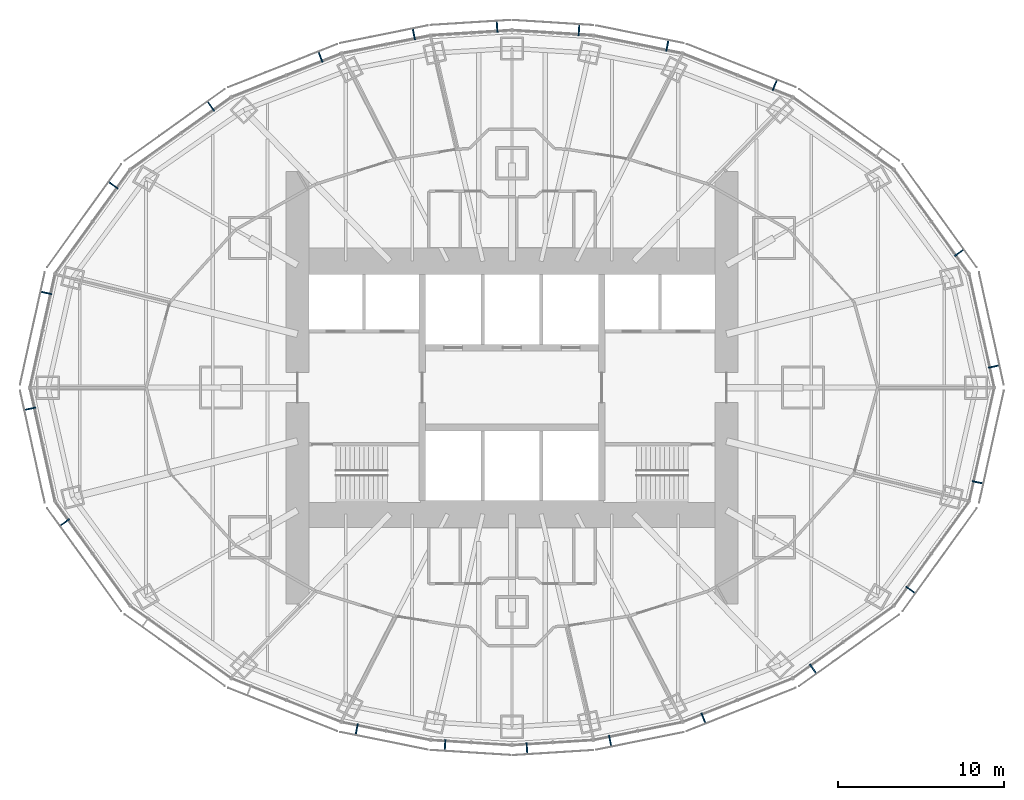
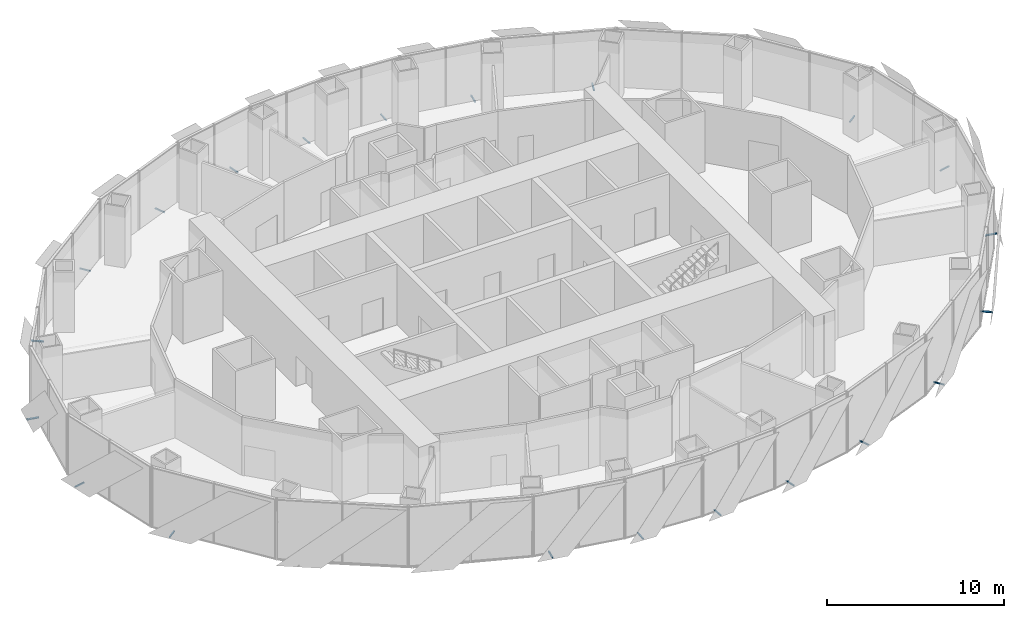
# One storey, part 14 of 18: 21 discrete accessories.
"""IFC4 building model written with IfcOpenShell, lengths in metres."""

from ifc_helpers import new_model, si_unit, direction, frame, origin, origin_2d, place, context, subcontext, project, spatial, rectangle, extrude, element, save


model = new_model("IFC4")

# Units and contexts
model_context = context("Model", 3, precision=1e-05, world=origin(), true_north=direction((0.0, 1.0)))
body_context = subcontext(model_context, "Body", "Model", "MODEL_VIEW")
ifc_project = project(units=[si_unit("LENGTHUNIT", "METRE"), si_unit("AREAUNIT", "SQUARE_METRE"), si_unit("VOLUMEUNIT", "CUBIC_METRE"), si_unit("PLANEANGLEUNIT", "RADIAN"), si_unit("MASSUNIT", "GRAM", prefix="KILO")], contexts=[model_context])

# Site, building, storey
site_placement = place(None, origin())
site = spatial("IfcSite", under=ifc_project, at=site_placement, CompositionType="ELEMENT")
building_placement = place(site_placement, origin())
building = spatial("IfcBuilding", under=site, at=building_placement, Name="Lantaw Convention Tower", CompositionType="ELEMENT")
storey_placement = place(building_placement, frame((0.0, 0.0, 176.199951171875)))
storey = spatial("IfcBuildingStorey", under=building, at=storey_placement, Name="L41", CompositionType="ELEMENT", Elevation=176.199951171875)

# Discrete accessories
for number, where, z_axis, x_axis, name in (
    (1, (28.98486328125, 1.269775390625, -0.114990234375), (0.0, 0.0, 1.0), (-0.215546166174, 0.9764936509, 0.0), "Screen bracket"),
    (2, (26.900146484375, 8.111572265625, -0.114990234375), (0.0, 0.0, 1.0), (-0.584512597221, 0.811384633629, 0.0), "Screen bracket"),
    (3, (15.802978515625, 18.18798828125, -0.114990234375), (0.0, 0.0, 1.0), (-0.929547687544, 0.368701907483, 0.0), "Screen bracket"),
    (4, (9.339599609375, 20.56005859375, -0.114990234375), (0.0, 0.0, 1.0), (-0.980301514912, 0.197506809659, 0.0), "Screen bracket"),
    (5, (4.027099609375, 21.505859375, -0.114990234375), (0.0, 0.0, 1.0), (-0.998022035978, 0.062865059466, 0.0), "Screen bracket"),
    (6, (-0.89794921875, 21.702880859375, -0.114990234375), (0.0, 0.0, 1.0), (-0.998022035978, -0.062865059466, 0.0), "Screen bracket"),
    (7, (-5.903076171875, 21.25244140625, -0.114990234375), (0.0, 0.0, 1.0), (-0.980301514912, -0.197506809659, 0.0), "Screen bracket"),
    (8, (-11.517822265625, 19.887939453125, -0.114990234375), (0.0, 0.0, 1.0), (-0.929547687544, -0.368701907483, 0.0), "Screen bracket"),
    (9, (-18.10791015625, 16.922607421875, -0.114990234375), (0.0, 0.0, 1.0), (-0.813208325995, -0.581972695693, 0.0), "Screen bracket"),
    (10, (-23.9765625, 12.169677734375, -0.114990234375), (0.0, 0.0, 1.0), (-0.584512597221, -0.811384633629, 0.0), "Screen bracket"),
    (11, (-28.008056640625, 5.6953125, -0.114990234375), (0.0, 0.0, 1.0), (-0.215546166174, -0.9764936509, 0.0), "Screen bracket"),
    (12, (-28.98486328125, -1.269775390625, -0.114990234375), (0.0, 0.0, 1.0), (0.215546166174, -0.9764936509, 0.0), "Screen bracket"),
    (13, (-26.900146484375, -8.111572265625, -0.114990234375), (0.0, 0.0, 1.0), (0.584512597221, -0.811384633629, 0.0), "Screen bracket"),
    (14, (-9.339599609375, -20.56005859375, -0.114990234375), (0.0, 0.0, 1.0), (0.980301514912, -0.197506809659, 0.0), "Screen bracket"),
    (15, (-4.027099609375, -21.505859375, -0.114990234375), (0.0, 0.0, 1.0), (0.998022035978, -0.062865059466, 0.0), "Screen bracket"),
    (16, (0.89794921875, -21.702880859375, -0.114990234375), (0.0, 0.0, 1.0), (0.998022035978, 0.062865059466, 0.0), "Screen bracket"),
    (17, (5.903076171875, -21.25244140625, -0.114990234375), (0.0, 0.0, 1.0), (0.980301514912, 0.197506809659, 0.0), "Screen bracket"),
    (18, (11.517822265625, -19.887939453125, -0.114990234375), (0.0, 0.0, 1.0), (0.929547687544, 0.368701907483, 0.0), "Screen bracket"),
    (19, (18.10791015625, -16.922607421875, -0.114990234375), (0.0, 0.0, 1.0), (0.813208325995, 0.581972695693, 0.0), "Screen bracket"),
    (20, (23.9765625, -12.169677734375, -0.114990234375), (0.0, 0.0, 1.0), (0.584512597221, 0.811384633629, 0.0), "Screen bracket"),
    (21, (28.008056640625, -5.6953125, -0.114990234375), (0.0, 0.0, 1.0), (0.215546166174, 0.9764936509, 0.0), "Screen bracket"),
):
    element("IfcDiscreteAccessory", number, at=place(storey_placement, frame(where, z_axis=z_axis, x_axis=x_axis)), inside=storey, Name=name, PredefinedType="BRACKET", context=body_context, shape_type="SweptSolid", body=[
        extrude(rectangle(XDim=0.080078125, YDim=0.68798828125, at=origin_2d()), origin(), (0.0, 0.0, 1.0), 0.080078125),
    ])

save(model, "model.ifc")
